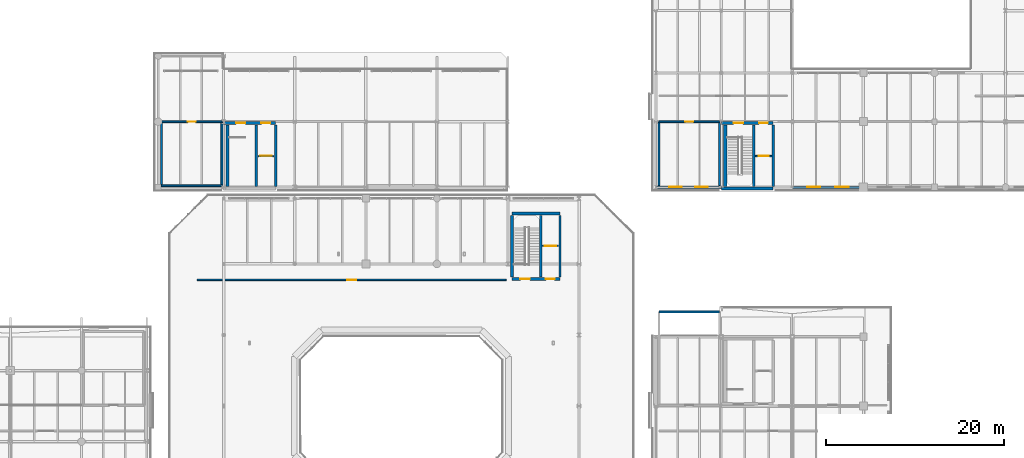
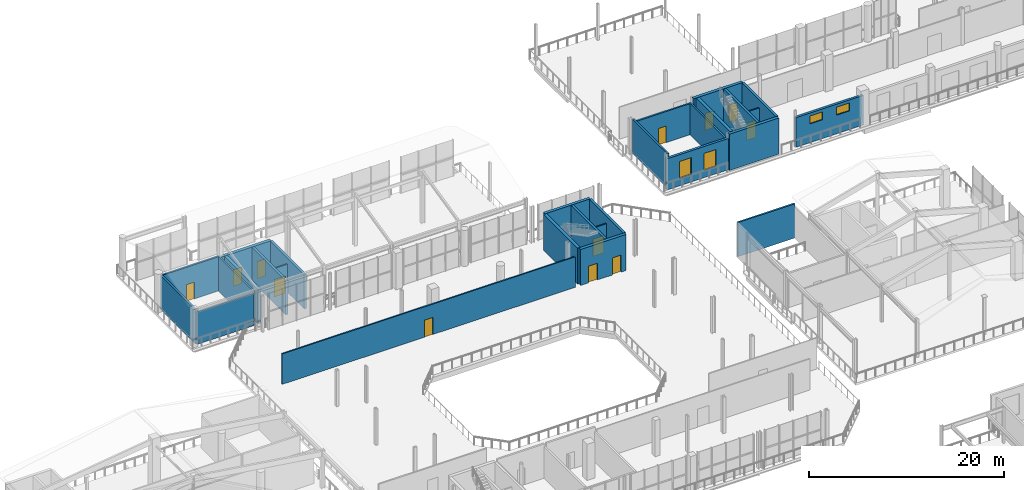
# One storey, part 52 of 70: 28 walls, 12 doors, 4 windows, 16 openings.
"""IFC4 building model written with IfcOpenShell, lengths in metres."""

from ifc_helpers import new_model, si_unit, direction, frame, frame_2d, origin, place, context, subcontext, project, spatial, rectangle, extrude, material, layer, layer_set, type_object, element, fill, save


model = new_model("IFC4")

# Units and contexts
model_context = context("Model", 3, precision=1e-05, world=origin(), true_north=direction((0.0, 1.0)))
body_context = subcontext(model_context, "Body", "Model", "MODEL_VIEW")
ifc_project = project(units=[si_unit("LENGTHUNIT", "METRE"), si_unit("AREAUNIT", "SQUARE_METRE"), si_unit("VOLUMEUNIT", "CUBIC_METRE"), si_unit("PLANEANGLEUNIT", "RADIAN"), si_unit("MASSUNIT", "GRAM", prefix="KILO")], contexts=[model_context])

# Site, building, storey
site_placement = place(None, origin())
site = spatial("IfcSite", under=ifc_project, at=site_placement, CompositionType="ELEMENT")
building_placement = place(site_placement, origin())
building = spatial("IfcBuilding", under=site, at=building_placement, Name="Brisemont Oceanarium", CompositionType="ELEMENT")
storey_placement = place(building_placement, frame((0.0, 0.0, 10.199951171875)))
storey = spatial("IfcBuildingStorey", under=building, at=storey_placement, Name="L02", CompositionType="ELEMENT", Elevation=10.199951171875)

# Wall, openings, windows
ifc_material_1 = material(Name="Beaux-Arts Limestone Cladding Precast Concrete C40/50", Category="masonry")
ifc_layer_1 = layer(ifc_material_1, 0.280029296875)
ifc_layer_set_1 = layer_set([ifc_layer_1], Name="Beaux-Arts Limestone Cladding Precast Concrete C40/50")
wall_type_1 = type_object("IfcWallType", Name="EW-LIME-280", PredefinedType="STANDARD", material=ifc_layer_set_1)
wall_1_placement = place(storey_placement, frame((112.64990234375, 80.64990234375, 0.0), z_axis=(0.0, 0.0, 1.0), x_axis=(1.0, 0.0, 0.0)))
wall_1 = element("IfcWall", 1, at=wall_1_placement, inside=storey, type_object=wall_type_1, Name="Beaux-Arts exterior wall EW-V6S-L02-1", PredefinedType="STANDARD", context=body_context, shape_type="SweptSolid", body=[
    extrude(rectangle(XDim=7.35009765625, YDim=0.280029296875, at=frame_2d((3.675048828125, 0.0))), origin(), (0.0, 0.0, 1.0), 3.91796875),
])
opening_1_placement = place(wall_1_placement, frame((1.5166015625, 0.0, 0.949951171875)))
opening_1 = element("IfcOpeningElement", 2, at=opening_1_placement, cuts=wall_1, Name="Opening WIN-07", PredefinedType="OPENING", context=body_context, shape_type="SweptSolid", body=[
    extrude(rectangle(XDim=1.39990234375, YDim=2.10009765625, at=frame_2d((0.699951171875, 1.050048828125))), frame((0.0, 0.14990234375, 0.0), z_axis=(0.0, -1.0, 0.0), x_axis=(1.0, 0.0, 0.0)), (0.0, 0.0, 1.0), 0.300048828125),
])
opening_2_placement = place(wall_1_placement, frame((4.433349609375, 0.0, 0.949951171875)))
opening_2 = element("IfcOpeningElement", 3, at=opening_2_placement, cuts=wall_1, Name="Opening WIN-07", PredefinedType="OPENING", context=body_context, shape_type="SweptSolid", body=[
    extrude(rectangle(XDim=1.39990234375, YDim=2.10009765625, at=frame_2d((0.699951171875, 1.050048828125))), frame((0.0, 0.14990234375, 0.0), z_axis=(0.0, -1.0, 0.0), x_axis=(1.0, 0.0, 0.0)), (0.0, 0.0, 1.0), 0.300048828125),
])
ifc_material_2 = material(Name="Insulated Low-E Laminated Glass", Category="glass")
window_type_1 = type_object("IfcWindowType", Name="WIN-BA-1400X2100", PartitioningType="SINGLE_PANEL", PredefinedType="WINDOW", material=ifc_material_2)
window_1_placement = place(opening_1_placement, origin())
window_1 = element("IfcWindow", 4, at=window_1_placement, inside=storey, type_object=window_type_1, Name="WIN-07 facade window 61", OverallHeight=2.10009765625, OverallWidth=1.39990234375, PartitioningType="SINGLE_PANEL", PredefinedType="WINDOW", context=body_context, shape_type="SweptSolid", body=[
    extrude(rectangle(XDim=1.39990234375, YDim=2.10009765625, at=frame_2d((0.699951171875, 1.050048828125))), frame((0.0, 0.030029296875, 0.0), z_axis=(0.0, -1.0, 0.0), x_axis=(1.0, 0.0, 0.0)), (0.0, 0.0, 1.0), 0.06005859375),
])
fill(opening_1, window_1)
window_2_placement = place(opening_2_placement, origin())
window_2 = element("IfcWindow", 5, at=window_2_placement, inside=storey, type_object=window_type_1, Name="WIN-07 facade window 62", OverallHeight=2.10009765625, OverallWidth=1.39990234375, PartitioningType="SINGLE_PANEL", PredefinedType="WINDOW", context=body_context, shape_type="SweptSolid", body=[
    extrude(rectangle(XDim=1.39990234375, YDim=2.10009765625, at=frame_2d((0.699951171875, 1.050048828125))), frame((0.0, 0.030029296875, 0.0), z_axis=(0.0, -1.0, 0.0), x_axis=(1.0, 0.0, 0.0)), (0.0, 0.0, 1.0), 0.06005859375),
])
fill(opening_2, window_2)

wall_2_placement = place(storey_placement, frame((128.0, 80.64990234375, 0.0), z_axis=(0.0, 0.0, 1.0), x_axis=(1.0, 0.0, 0.0)))
wall_2 = element("IfcWall", 6, at=wall_2_placement, inside=storey, type_object=wall_type_1, Name="Beaux-Arts exterior wall EW-V6S-L02-3", PredefinedType="STANDARD", context=body_context, shape_type="SweptSolid", body=[
    extrude(rectangle(XDim=8.0, YDim=0.280029296875, at=frame_2d((4.0, 0.0))), origin(), (0.0, 0.0, 1.0), 3.719970703125),
])
opening_3_placement = place(wall_2_placement, frame((1.666748046875, 0.0, 2.35009765625)))
opening_3 = element("IfcOpeningElement", 7, at=opening_3_placement, cuts=wall_2, Name="Opening WIN-15", PredefinedType="OPENING", context=body_context, shape_type="SweptSolid", body=[
    extrude(rectangle(XDim=1.5, YDim=1.0, at=frame_2d((0.75, 0.5))), frame((0.0, 0.14990234375, 0.0), z_axis=(0.0, -1.0, 0.0), x_axis=(1.0, 0.0, 0.0)), (0.0, 0.0, 1.0), 0.300048828125),
])
opening_4_placement = place(wall_2_placement, frame((4.833251953125, 0.0, 2.35009765625)))
opening_4 = element("IfcOpeningElement", 8, at=opening_4_placement, cuts=wall_2, Name="Opening WIN-15", PredefinedType="OPENING", context=body_context, shape_type="SweptSolid", body=[
    extrude(rectangle(XDim=1.5, YDim=1.0, at=frame_2d((0.75, 0.5))), frame((0.0, 0.14990234375, 0.0), z_axis=(0.0, -1.0, 0.0), x_axis=(1.0, 0.0, 0.0)), (0.0, 0.0, 1.0), 0.300048828125),
])
ifc_material_3 = material(Name="Insulated Low-E Laminated Glass", Category="glass")
window_type_2 = type_object("IfcWindowType", Name="WIN-CLR-1500X1000", PartitioningType="SINGLE_PANEL", PredefinedType="WINDOW", material=ifc_material_3)
window_3_placement = place(opening_3_placement, origin())
window_3 = element("IfcWindow", 9, at=window_3_placement, inside=storey, type_object=window_type_2, Name="WIN-15 facade window 69", OverallHeight=1.0, OverallWidth=1.5, PartitioningType="SINGLE_PANEL", PredefinedType="WINDOW", context=body_context, shape_type="SweptSolid", body=[
    extrude(rectangle(XDim=1.5, YDim=1.0, at=frame_2d((0.75, 0.5))), frame((0.0, 0.030029296875, 0.0), z_axis=(0.0, -1.0, 0.0), x_axis=(1.0, 0.0, 0.0)), (0.0, 0.0, 1.0), 0.06005859375),
])
fill(opening_3, window_3)
window_4_placement = place(opening_4_placement, origin())
window_4 = element("IfcWindow", 10, at=window_4_placement, inside=storey, type_object=window_type_2, Name="WIN-15 facade window 70", OverallHeight=1.0, OverallWidth=1.5, PartitioningType="SINGLE_PANEL", PredefinedType="WINDOW", context=body_context, shape_type="SweptSolid", body=[
    extrude(rectangle(XDim=1.5, YDim=1.0, at=frame_2d((0.75, 0.5))), frame((0.0, 0.030029296875, 0.0), z_axis=(0.0, -1.0, 0.0), x_axis=(1.0, 0.0, 0.0)), (0.0, 0.0, 1.0), 0.06005859375),
])
fill(opening_4, window_4)

# Wall, opening, door
ifc_material_4 = material(Name="Moisture-Resistant Gypsum Steel-Stud Partition", Category="steel")
ifc_layer_2 = layer(ifc_material_4, 0.159912109375)
ifc_layer_set_2 = layer_set([ifc_layer_2], Name="Moisture-Resistant Gypsum Steel-Stud Partition")
wall_type_2 = type_object("IfcWallType", Name="IW-FB-160", PredefinedType="PARTITIONING", material=ifc_layer_set_2)
wall_3_placement = place(storey_placement, frame((99.85009765625, 74.02001953125, 0.0), z_axis=(0.0, 0.0, 1.0), x_axis=(1.0, 0.0, 0.0)))
wall_3 = element("IfcWall", 11, at=wall_3_placement, inside=storey, type_object=wall_type_2, Name="Core C2 L02 lift hoistway front wall", PredefinedType="PARTITIONING", context=body_context, shape_type="SweptSolid", body=[
    extrude(rectangle(XDim=1.83984375, YDim=0.159912109375, at=frame_2d((0.919921875, 0.0))), origin(), (0.0, 0.0, 1.0), 3.60009765625),
])
opening_5_placement = place(wall_3_placement, frame((0.27001953125, 0.0, 0.0)))
opening_5 = element("IfcOpeningElement", 12, at=opening_5_placement, cuts=wall_3, Name="Opening LD-02", PredefinedType="OPENING", context=body_context, shape_type="SweptSolid", body=[
    extrude(rectangle(XDim=1.300048828125, YDim=2.199951171875, at=frame_2d((0.64990234375, 1.10009765625))), frame((0.0, 0.08984375, 0.0), z_axis=(0.0, -1.0, 0.0), x_axis=(1.0, 0.0, 0.0)), (0.0, 0.0, 1.0), 0.179931640625),
])
ifc_material_5 = material(Name="Duplex Stainless Steel EN 1.4462", Category="steel")
door_type_1 = type_object("IfcDoorType", Name="DR-LIFT-1300X2200", OperationType="NOTDEFINED", PredefinedType="DOOR", material=ifc_material_5)
door_1_placement = place(opening_5_placement, origin())
door_1 = element("IfcDoor", 13, at=door_1_placement, inside=storey, type_object=door_type_1, Name="Lift landing door LF-02 L02", OperationType="SLIDING_TO_LEFT", OverallHeight=2.199951171875, OverallWidth=1.300048828125, PredefinedType="DOOR", context=body_context, shape_type="SweptSolid", body=[
    extrude(rectangle(XDim=1.300048828125, YDim=2.199951171875, at=frame_2d((0.64990234375, 1.10009765625))), frame((0.0, 0.02490234375, 0.0), z_axis=(0.0, -1.0, 0.0), x_axis=(1.0, 0.0, 0.0)), (0.0, 0.0, 1.0), 0.050048828125),
])
fill(opening_5, door_1)

wall_4_placement = place(storey_placement, frame((123.85009765625, 84.1298828125, 0.0), z_axis=(0.0, 0.0, 1.0), x_axis=(1.0, 0.0, 0.0)))
wall_4 = element("IfcWall", 14, at=wall_4_placement, inside=storey, type_object=wall_type_2, Name="Core C7 L02 lift hoistway front wall", PredefinedType="PARTITIONING", context=body_context, shape_type="SweptSolid", body=[
    extrude(rectangle(XDim=1.83984375, YDim=0.159912109375, at=frame_2d((0.919921875, 0.0))), origin(), (0.0, 0.0, 1.0), 3.60009765625),
])
opening_6_placement = place(wall_4_placement, frame((0.3701171875, 0.0, 0.0)))
opening_6 = element("IfcOpeningElement", 15, at=opening_6_placement, cuts=wall_4, Name="Opening LD-01", PredefinedType="OPENING", context=body_context, shape_type="SweptSolid", body=[
    extrude(rectangle(XDim=1.10009765625, YDim=2.14990234375, at=frame_2d((0.550048828125, 1.074951171875))), frame((0.0, 0.08984375, 0.0), z_axis=(0.0, -1.0, 0.0), x_axis=(1.0, 0.0, 0.0)), (0.0, 0.0, 1.0), 0.179931640625),
])
ifc_material_6 = material(Name="Duplex Stainless Steel EN 1.4462", Category="steel")
door_type_2 = type_object("IfcDoorType", Name="DR-LIFT-1100X2150", OperationType="NOTDEFINED", PredefinedType="DOOR", material=ifc_material_6)
door_2_placement = place(opening_6_placement, origin())
door_2 = element("IfcDoor", 16, at=door_2_placement, inside=storey, type_object=door_type_2, Name="Lift landing door LF-07 L02", OperationType="SLIDING_TO_LEFT", OverallHeight=2.14990234375, OverallWidth=1.10009765625, PredefinedType="DOOR", context=body_context, shape_type="SweptSolid", body=[
    extrude(rectangle(XDim=1.10009765625, YDim=2.14990234375, at=frame_2d((0.550048828125, 1.074951171875))), frame((0.0, 0.02490234375, 0.0), z_axis=(0.0, -1.0, 0.0), x_axis=(1.0, 0.0, 0.0)), (0.0, 0.0, 1.0), 0.050048828125),
])
fill(opening_6, door_2)

wall_5_placement = place(storey_placement, frame((67.85009765625, 84.1298828125, 0.0), z_axis=(0.0, 0.0, 1.0), x_axis=(1.0, 0.0, 0.0)))
wall_5 = element("IfcWall", 17, at=wall_5_placement, inside=storey, type_object=wall_type_2, Name="Core C8 L02 lift hoistway front wall", PredefinedType="PARTITIONING", context=body_context, shape_type="SweptSolid", body=[
    extrude(rectangle(XDim=1.83984375, YDim=0.159912109375, at=frame_2d((0.919921875, 0.0))), origin(), (0.0, 0.0, 1.0), 3.60009765625),
])
opening_7_placement = place(wall_5_placement, frame((0.27001953125, 0.0, 0.0)))
opening_7 = element("IfcOpeningElement", 18, at=opening_7_placement, cuts=wall_5, Name="Opening LD-02", PredefinedType="OPENING", context=body_context, shape_type="SweptSolid", body=[
    extrude(rectangle(XDim=1.300048828125, YDim=2.199951171875, at=frame_2d((0.64990234375, 1.10009765625))), frame((0.0, 0.08984375, 0.0), z_axis=(0.0, -1.0, 0.0), x_axis=(1.0, 0.0, 0.0)), (0.0, 0.0, 1.0), 0.179931640625),
])
door_3_placement = place(opening_7_placement, origin())
door_3 = element("IfcDoor", 19, at=door_3_placement, inside=storey, type_object=door_type_1, Name="Lift landing door L-08 L02", OperationType="SLIDING_TO_LEFT", OverallHeight=2.199951171875, OverallWidth=1.300048828125, PredefinedType="DOOR", context=body_context, shape_type="SweptSolid", body=[
    extrude(rectangle(XDim=1.300048828125, YDim=2.199951171875, at=frame_2d((0.64990234375, 1.10009765625))), frame((0.0, 0.02490234375, 0.0), z_axis=(0.0, -1.0, 0.0), x_axis=(1.0, 0.0, 0.0)), (0.0, 0.0, 1.0), 0.050048828125),
])
fill(opening_7, door_3)

wall_6_placement = place(storey_placement, frame((61.0, 70.199951171875, 0.0), z_axis=(0.0, 0.0, 1.0), x_axis=(1.0, 0.0, 0.0)))
wall_6 = element("IfcWall", 20, at=wall_6_placement, inside=storey, type_object=wall_type_2, Name="Ocean Tank Husbandry Veterinary Monitoring Station corridor partition", PredefinedType="PARTITIONING", context=body_context, shape_type="SweptSolid", body=[
    extrude(rectangle(XDim=34.800048828125, YDim=0.159912109375, at=frame_2d((17.39990234375, 0.0))), origin(), (0.0, 0.0, 1.0), 3.822021484375),
])
opening_8_placement = place(wall_6_placement, frame((16.889892578125, 0.0, 0.0)))
opening_8 = element("IfcOpeningElement", 21, at=opening_8_placement, cuts=wall_6, Name="Opening D-01", PredefinedType="OPENING", context=body_context, shape_type="SweptSolid", body=[
    extrude(rectangle(XDim=1.02001953125, YDim=2.14990234375, at=frame_2d((0.510009765625, 1.074951171875))), frame((0.0, 0.08984375, 0.0), z_axis=(0.0, -1.0, 0.0), x_axis=(1.0, 0.0, 0.0)), (0.0, 0.0, 1.0), 0.179931640625),
])
ifc_material_7 = material(Name="FSC White Oak Solid-Core Fire Door")
door_type_3 = type_object("IfcDoorType", Name="DR-RM-1020X2150", OperationType="NOTDEFINED", PredefinedType="DOOR", material=ifc_material_7)
door_4_placement = place(opening_8_placement, origin())
door_4 = element("IfcDoor", 22, at=door_4_placement, inside=storey, type_object=door_type_3, Name="D-01 door to Ocean Tank Husbandry Veterinary Monitoring Station", OperationType="SINGLE_SWING_LEFT", OverallHeight=2.14990234375, OverallWidth=1.02001953125, PredefinedType="DOOR", context=body_context, shape_type="SweptSolid", body=[
    extrude(rectangle(XDim=1.02001953125, YDim=2.14990234375, at=frame_2d((0.510009765625, 1.074951171875))), frame((0.0, 0.02490234375, 0.0), z_axis=(0.0, -1.0, 0.0), x_axis=(1.0, 0.0, 0.0)), (0.0, 0.0, 1.0), 0.050048828125),
])
fill(opening_8, door_4)

# Wall
ifc_material_8 = material(Name="Cementitious Tile-Backer Plumbing Wall")
ifc_layer_3 = layer(ifc_material_8, 0.199951171875)
ifc_layer_set_3 = layer_set([ifc_layer_3], Name="Cementitious Tile-Backer Plumbing Wall")
wall_type_3 = type_object("IfcWallType", Name="IW-PLUMB-200", PredefinedType="PLUMBINGWALL", material=ifc_layer_set_3)
wall_7_placement = place(storey_placement, frame((113.0, 66.60009765625, 0.0), z_axis=(0.0, 0.0, 1.0), x_axis=(1.0, 0.0, 0.0)))
element("IfcWall", 23, at=wall_7_placement, inside=storey, type_object=wall_type_3, Name="Accessible WC enclosure wall N", PredefinedType="PLUMBINGWALL", context=body_context, shape_type="SweptSolid", body=[
    extrude(rectangle(XDim=6.800048828125, YDim=0.199951171875, at=frame_2d((3.39990234375, 0.0))), origin(), (0.0, 0.0, 1.0), 4.2900390625),
])

# Wall, opening, door
wall_8_placement = place(storey_placement, frame((57.0, 88.0, 0.0), z_axis=(0.0, 0.0, 1.0), x_axis=(1.0, 0.0, 0.0)))
wall_8 = element("IfcWall", 24, at=wall_8_placement, inside=storey, type_object=wall_type_3, Name="Staff Restroom corridor partition", PredefinedType="PLUMBINGWALL", context=body_context, shape_type="SweptSolid", body=[
    extrude(rectangle(XDim=6.800048828125, YDim=0.199951171875, at=frame_2d((3.39990234375, 0.0))), origin(), (0.0, 0.0, 1.0), 4.2900390625),
])
opening_9_placement = place(wall_8_placement, frame((2.945068359375, 0.0, 0.0)))
opening_9 = element("IfcOpeningElement", 25, at=opening_9_placement, cuts=wall_8, Name="Opening D-03", PredefinedType="OPENING", context=body_context, shape_type="SweptSolid", body=[
    extrude(rectangle(XDim=0.909912109375, YDim=2.10009765625, at=frame_2d((0.455078125, 1.050048828125))), frame((0.0, 0.10986328125, 0.0), z_axis=(0.0, -1.0, 0.0), x_axis=(1.0, 0.0, 0.0)), (0.0, 0.0, 1.0), 0.219970703125),
])
ifc_material_9 = material(Name="FSC White Oak Solid-Core Fire Door")
door_type_4 = type_object("IfcDoorType", Name="DR-WC-910X2100", OperationType="NOTDEFINED", PredefinedType="DOOR", material=ifc_material_9)
door_5_placement = place(opening_9_placement, origin())
door_5 = element("IfcDoor", 26, at=door_5_placement, inside=storey, type_object=door_type_4, Name="D-03 door to Staff Restroom", OperationType="SINGLE_SWING_RIGHT", OverallHeight=2.10009765625, OverallWidth=0.909912109375, PredefinedType="DOOR", context=body_context, shape_type="SweptSolid", body=[
    extrude(rectangle(XDim=0.909912109375, YDim=2.10009765625, at=frame_2d((0.455078125, 1.050048828125))), frame((0.0, 0.02490234375, 0.0), z_axis=(0.0, -1.0, 0.0), x_axis=(1.0, 0.0, 0.0)), (0.0, 0.0, 1.0), 0.050048828125),
])
fill(opening_9, door_5)

# Walls
wall_9_placement = place(storey_placement, frame((57.0, 80.800048828125, 0.0), z_axis=(0.0, 0.0, 1.0), x_axis=(1.0, 0.0, 0.0)))
element("IfcWall", 27, at=wall_9_placement, inside=storey, type_object=wall_type_3, Name="Staff Restroom enclosure wall S", PredefinedType="PLUMBINGWALL", context=body_context, shape_type="SweptSolid", body=[
    extrude(rectangle(XDim=6.800048828125, YDim=0.199951171875, at=frame_2d((3.39990234375, 0.0))), origin(), (0.0, 0.0, 1.0), 4.047119140625),
])
for number, where, z_axis, x_axis, name in (
    (28, (57.0, 80.800048828125, 0.0), (0.0, 0.0, 1.0), (0.0, 1.0, 0.0), "Staff Restroom enclosure wall W"),
    (29, (63.800048828125, 80.800048828125, 0.0), (0.0, 0.0, 1.0), (0.0, 1.0, 0.0), "Staff Restroom enclosure wall E"),
):
    element("IfcWall", number, at=place(storey_placement, frame(where, z_axis=z_axis, x_axis=x_axis)), inside=storey, type_object=wall_type_3, Name=name, PredefinedType="PLUMBINGWALL", context=body_context, shape_type="SweptSolid", body=[
        extrude(rectangle(XDim=7.199951171875, YDim=0.199951171875, at=frame_2d((3.60009765625, 0.0))), origin(), (0.0, 0.0, 1.0), 4.2900390625),
    ])

# Wall, opening, door
wall_10_placement = place(storey_placement, frame((113.0, 88.0, 0.0), z_axis=(0.0, 0.0, 1.0), x_axis=(1.0, 0.0, 0.0)))
wall_10 = element("IfcWall", 30, at=wall_10_placement, inside=storey, type_object=wall_type_3, Name="Accessible WC corridor partition", PredefinedType="PLUMBINGWALL", context=body_context, shape_type="SweptSolid", body=[
    extrude(rectangle(XDim=6.800048828125, YDim=0.199951171875, at=frame_2d((3.39990234375, 0.0))), origin(), (0.0, 0.0, 1.0), 3.907958984375),
])
opening_10_placement = place(wall_10_placement, frame((2.945068359375, 0.0, 0.0)))
opening_10 = element("IfcOpeningElement", 31, at=opening_10_placement, cuts=wall_10, Name="Opening D-03", PredefinedType="OPENING", context=body_context, shape_type="SweptSolid", body=[
    extrude(rectangle(XDim=0.909912109375, YDim=2.10009765625, at=frame_2d((0.455078125, 1.050048828125))), frame((0.0, 0.10986328125, 0.0), z_axis=(0.0, -1.0, 0.0), x_axis=(1.0, 0.0, 0.0)), (0.0, 0.0, 1.0), 0.219970703125),
])
door_6_placement = place(opening_10_placement, origin())
door_6 = element("IfcDoor", 32, at=door_6_placement, inside=storey, type_object=door_type_4, Name="D-03 door to Accessible WC", OperationType="SINGLE_SWING_LEFT", OverallHeight=2.10009765625, OverallWidth=0.909912109375, PredefinedType="DOOR", context=body_context, shape_type="SweptSolid", body=[
    extrude(rectangle(XDim=0.909912109375, YDim=2.10009765625, at=frame_2d((0.455078125, 1.050048828125))), frame((0.0, 0.02490234375, 0.0), z_axis=(0.0, -1.0, 0.0), x_axis=(1.0, 0.0, 0.0)), (0.0, 0.0, 1.0), 0.050048828125),
])
fill(opening_10, door_6)

# Walls
wall_11_placement = place(storey_placement, frame((113.0, 80.800048828125, 0.0), z_axis=(0.0, 0.0, 1.0), x_axis=(0.0, 1.0, 0.0)))
element("IfcWall", 33, at=wall_11_placement, inside=storey, type_object=wall_type_3, Name="Accessible WC enclosure wall W", PredefinedType="PLUMBINGWALL", context=body_context, shape_type="SweptSolid", body=[
    extrude(rectangle(XDim=7.199951171875, YDim=0.199951171875, at=frame_2d((3.60009765625, 0.0))), origin(), (0.0, 0.0, 1.0), 4.2900390625),
])
wall_12_placement = place(storey_placement, frame((119.800048828125, 80.800048828125, 0.0), z_axis=(0.0, 0.0, 1.0), x_axis=(0.0, 1.0, 0.0)))
element("IfcWall", 34, at=wall_12_placement, inside=storey, type_object=wall_type_3, Name="Accessible WC enclosure wall E", PredefinedType="PLUMBINGWALL", context=body_context, shape_type="SweptSolid", body=[
    extrude(rectangle(XDim=7.199951171875, YDim=0.199951171875, at=frame_2d((3.60009765625, 0.0))), origin(), (0.0, 0.0, 1.0), 3.91796875),
])
ifc_material_10 = material(Name="Concrete C40/50", Category="concrete")
ifc_layer_4 = layer(ifc_material_10, 0.260009765625)
ifc_layer_set_4 = layer_set([ifc_layer_4], Name="Concrete C40/50")
wall_type_4 = type_object("IfcWallType", Name="SW-SHAFT-260", PredefinedType="SHEAR", material=ifc_layer_set_4)
for number, where, z_axis, x_axis, name in (
    (35, (101.85009765625, 70.5, 0.0), (0.0, 0.0, 1.0), (0.0, 1.0, 0.0), "Core C2 L02 E RC shear wall"),
    (36, (99.669921875, 70.5, 0.0), (0.0, 0.0, 1.0), (0.0, 1.0, 0.0), "Core C2 L02 MID RC shear wall"),
):
    element("IfcWall", number, at=place(storey_placement, frame(where, z_axis=z_axis, x_axis=x_axis)), inside=storey, type_object=wall_type_4, Name=name, PredefinedType="SHEAR", context=body_context, shape_type="SweptSolid", body=[
        extrude(rectangle(XDim=6.949951171875, YDim=0.260009765625, at=frame_2d((3.47509765625, 0.0))), origin(), (0.0, 0.0, 1.0), 4.530029296875),
    ])
for number, where, z_axis, x_axis, name in (
    (37, (125.85009765625, 80.699951171875, 0.0), (0.0, 0.0, 1.0), (0.0, 1.0, 0.0), "Core C7 L02 E RC shear wall"),
    (38, (123.669921875, 80.699951171875, 0.0), (0.0, 0.0, 1.0), (0.0, 1.0, 0.0), "Core C7 L02 MID RC shear wall"),
):
    element("IfcWall", number, at=place(storey_placement, frame(where, z_axis=z_axis, x_axis=x_axis)), inside=storey, type_object=wall_type_4, Name=name, PredefinedType="SHEAR", context=body_context, shape_type="SweptSolid", body=[
        extrude(rectangle(XDim=6.949951171875, YDim=0.260009765625, at=frame_2d((3.47509765625, 0.0))), origin(), (0.0, 0.0, 1.0), 4.550048828125),
    ])
for number, where, z_axis, x_axis, name in (
    (39, (69.85009765625, 80.699951171875, 0.0), (0.0, 0.0, 1.0), (0.0, 1.0, 0.0), "Core C8 L02 E RC shear wall"),
    (40, (67.669921875, 80.699951171875, 0.0), (0.0, 0.0, 1.0), (0.0, 1.0, 0.0), "Core C8 L02 MID RC shear wall"),
):
    element("IfcWall", number, at=place(storey_placement, frame(where, z_axis=z_axis, x_axis=x_axis)), inside=storey, type_object=wall_type_4, Name=name, PredefinedType="SHEAR", context=body_context, shape_type="SweptSolid", body=[
        extrude(rectangle(XDim=6.949951171875, YDim=0.260009765625, at=frame_2d((3.47509765625, 0.0))), origin(), (0.0, 0.0, 1.0), 4.300048828125),
    ])

# Wall, openings, doors
ifc_material_11 = material(Name="Concrete C40/50", Category="concrete")
ifc_layer_5 = layer(ifc_material_11, 0.35009765625)
ifc_layer_set_5 = layer_set([ifc_layer_5], Name="Concrete C40/50")
wall_type_5 = type_object("IfcWallType", Name="SW-STAIR-350", PredefinedType="SHEAR", material=ifc_layer_set_5)
wall_13_placement = place(storey_placement, frame((96.449951171875, 70.300048828125, 0.0), z_axis=(0.0, 0.0, 1.0), x_axis=(1.0, 0.0, 0.0)))
wall_13 = element("IfcWall", 41, at=wall_13_placement, inside=storey, type_object=wall_type_5, Name="Core C2 L02 corridor RC shear wall", PredefinedType="SHEAR", context=body_context, shape_type="SweptSolid", body=[
    extrude(rectangle(XDim=5.400146484375, YDim=0.35009765625, at=frame_2d((2.7001953125, 0.0))), origin(), (0.0, 0.0, 1.0), 4.530029296875),
])
opening_11_placement = place(wall_13_placement, frame((0.949951171875, 0.0, 0.0)))
opening_11 = element("IfcOpeningElement", 42, at=opening_11_placement, cuts=wall_13, Name="Opening SD-02", PredefinedType="OPENING", context=body_context, shape_type="SweptSolid", body=[
    extrude(rectangle(XDim=1.050048828125, YDim=2.10009765625, at=frame_2d((0.52490234375, 1.050048828125))), frame((0.0, 0.18505859375, 0.0), z_axis=(0.0, -1.0, 0.0), x_axis=(1.0, 0.0, 0.0)), (0.0, 0.0, 1.0), 0.3701171875),
])
opening_12_placement = place(wall_13_placement, frame((3.800048828125, 0.0, 0.0)))
opening_12 = element("IfcOpeningElement", 43, at=opening_12_placement, cuts=wall_13, Name="Opening FD90-2", PredefinedType="OPENING", context=body_context, shape_type="SweptSolid", body=[
    extrude(rectangle(XDim=1.0, YDim=2.14990234375, at=frame_2d((0.5, 1.074951171875))), frame((0.0, 0.18505859375, 0.0), z_axis=(0.0, -1.0, 0.0), x_axis=(1.0, 0.0, 0.0)), (0.0, 0.0, 1.0), 0.3701171875),
])
ifc_material_12 = material(Name="FSC White Oak Solid-Core Fire Door")
door_type_5 = type_object("IfcDoorType", Name="DR-LOB-1000X2150", OperationType="NOTDEFINED", PredefinedType="DOOR", material=ifc_material_12)
door_7_placement = place(opening_12_placement, origin())
door_7 = element("IfcDoor", 44, at=door_7_placement, inside=storey, type_object=door_type_5, Name="Lift lobby door C2 L02", OperationType="SINGLE_SWING_LEFT", OverallHeight=2.14990234375, OverallWidth=1.0, PredefinedType="DOOR", context=body_context, shape_type="SweptSolid", body=[
    extrude(rectangle(XDim=1.0, YDim=2.14990234375, at=frame_2d((0.5, 1.074951171875))), frame((0.0, 0.02490234375, 0.0), z_axis=(0.0, -1.0, 0.0), x_axis=(1.0, 0.0, 0.0)), (0.0, 0.0, 1.0), 0.050048828125),
])
fill(opening_12, door_7)
ifc_material_13 = material(Name="Duplex Stainless Steel EN 1.4462", Category="steel")
door_type_6 = type_object("IfcDoorType", Name="DR-STAIR-1050X2100", OperationType="NOTDEFINED", PredefinedType="DOOR", material=ifc_material_13)
door_8_placement = place(opening_11_placement, origin())
door_8 = element("IfcDoor", 45, at=door_8_placement, inside=storey, type_object=door_type_6, Name="Exit stair door ST-02 L02", OperationType="SINGLE_SWING_RIGHT", OverallHeight=2.10009765625, OverallWidth=1.050048828125, PredefinedType="DOOR", context=body_context, shape_type="SweptSolid", body=[
    extrude(rectangle(XDim=1.050048828125, YDim=2.10009765625, at=frame_2d((0.52490234375, 1.050048828125))), frame((0.0, 0.02490234375, 0.0), z_axis=(0.0, -1.0, 0.0), x_axis=(1.0, 0.0, 0.0)), (0.0, 0.0, 1.0), 0.050048828125),
])
fill(opening_11, door_8)

# Walls
wall_14_placement = place(storey_placement, frame((96.449951171875, 77.64990234375, 0.0), z_axis=(0.0, 0.0, 1.0), x_axis=(1.0, 0.0, 0.0)))
element("IfcWall", 46, at=wall_14_placement, inside=storey, type_object=wall_type_5, Name="Core C2 L02 BCK RC shear wall", PredefinedType="SHEAR", context=body_context, shape_type="SweptSolid", body=[
    extrude(rectangle(XDim=5.400146484375, YDim=0.35009765625, at=frame_2d((2.7001953125, 0.0))), origin(), (0.0, 0.0, 1.0), 4.530029296875),
])
wall_15_placement = place(storey_placement, frame((96.449951171875, 70.5, 0.0), z_axis=(0.0, 0.0, 1.0), x_axis=(0.0, 1.0, 0.0)))
element("IfcWall", 47, at=wall_15_placement, inside=storey, type_object=wall_type_5, Name="Core C2 L02 W RC shear wall", PredefinedType="SHEAR", context=body_context, shape_type="SweptSolid", body=[
    extrude(rectangle(XDim=6.949951171875, YDim=0.35009765625, at=frame_2d((3.47509765625, 0.0))), origin(), (0.0, 0.0, 1.0), 4.530029296875),
])

# Wall, openings, doors
wall_16_placement = place(storey_placement, frame((120.0, 87.85009765625, 0.0), z_axis=(0.0, 0.0, 1.0), x_axis=(1.0, 0.0, 0.0)))
wall_16 = element("IfcWall", 48, at=wall_16_placement, inside=storey, type_object=wall_type_5, Name="Core C7 L02 corridor RC shear wall", PredefinedType="SHEAR", context=body_context, shape_type="SweptSolid", body=[
    extrude(rectangle(XDim=5.85009765625, YDim=0.35009765625, at=frame_2d((2.925048828125, 0.0))), origin(), (0.0, 0.0, 1.0), 4.550048828125),
])
opening_13_placement = place(wall_16_placement, frame((1.39990234375, 0.0, 0.0)))
opening_13 = element("IfcOpeningElement", 49, at=opening_13_placement, cuts=wall_16, Name="Opening SD-02", PredefinedType="OPENING", context=body_context, shape_type="SweptSolid", body=[
    extrude(rectangle(XDim=1.050048828125, YDim=2.10009765625, at=frame_2d((0.52490234375, 1.050048828125))), frame((0.0, 0.18505859375, 0.0), z_axis=(0.0, -1.0, 0.0), x_axis=(1.0, 0.0, 0.0)), (0.0, 0.0, 1.0), 0.3701171875),
])
opening_14_placement = place(wall_16_placement, frame((4.25, 0.0, 0.0)))
opening_14 = element("IfcOpeningElement", 50, at=opening_14_placement, cuts=wall_16, Name="Opening FD90-2", PredefinedType="OPENING", context=body_context, shape_type="SweptSolid", body=[
    extrude(rectangle(XDim=1.0, YDim=2.14990234375, at=frame_2d((0.5, 1.074951171875))), frame((0.0, 0.18505859375, 0.0), z_axis=(0.0, -1.0, 0.0), x_axis=(1.0, 0.0, 0.0)), (0.0, 0.0, 1.0), 0.3701171875),
])
door_9_placement = place(opening_14_placement, origin())
door_9 = element("IfcDoor", 51, at=door_9_placement, inside=storey, type_object=door_type_5, Name="Lift lobby door C7 L02", OperationType="SINGLE_SWING_RIGHT", OverallHeight=2.14990234375, OverallWidth=1.0, PredefinedType="DOOR", context=body_context, shape_type="SweptSolid", body=[
    extrude(rectangle(XDim=1.0, YDim=2.14990234375, at=frame_2d((0.5, 1.074951171875))), frame((0.0, 0.02490234375, 0.0), z_axis=(0.0, -1.0, 0.0), x_axis=(1.0, 0.0, 0.0)), (0.0, 0.0, 1.0), 0.050048828125),
])
fill(opening_14, door_9)
door_10_placement = place(opening_13_placement, origin())
door_10 = element("IfcDoor", 52, at=door_10_placement, inside=storey, type_object=door_type_6, Name="Exit stair door ST-07 L02", OperationType="SINGLE_SWING_LEFT", OverallHeight=2.10009765625, OverallWidth=1.050048828125, PredefinedType="DOOR", context=body_context, shape_type="SweptSolid", body=[
    extrude(rectangle(XDim=1.050048828125, YDim=2.10009765625, at=frame_2d((0.52490234375, 1.050048828125))), frame((0.0, 0.02490234375, 0.0), z_axis=(0.0, -1.0, 0.0), x_axis=(1.0, 0.0, 0.0)), (0.0, 0.0, 1.0), 0.050048828125),
])
fill(opening_13, door_10)

# Walls
wall_17_placement = place(storey_placement, frame((120.0, 80.5, 0.0), z_axis=(0.0, 0.0, 1.0), x_axis=(1.0, 0.0, 0.0)))
element("IfcWall", 53, at=wall_17_placement, inside=storey, type_object=wall_type_5, Name="Core C7 L02 BCK RC shear wall", PredefinedType="SHEAR", context=body_context, shape_type="SweptSolid", body=[
    extrude(rectangle(XDim=5.85009765625, YDim=0.35009765625, at=frame_2d((2.925048828125, 0.0))), origin(), (0.0, 0.0, 1.0), 4.550048828125),
])
wall_18_placement = place(storey_placement, frame((120.449951171875, 80.699951171875, 0.0), z_axis=(0.0, 0.0, 1.0), x_axis=(0.0, 1.0, 0.0)))
element("IfcWall", 54, at=wall_18_placement, inside=storey, type_object=wall_type_5, Name="Core C7 L02 W RC shear wall", PredefinedType="SHEAR", context=body_context, shape_type="SweptSolid", body=[
    extrude(rectangle(XDim=6.949951171875, YDim=0.35009765625, at=frame_2d((3.47509765625, 0.0))), origin(), (0.0, 0.0, 1.0), 4.550048828125),
])

# Wall, openings, doors
wall_19_placement = place(storey_placement, frame((64.0, 87.85009765625, 0.0), z_axis=(0.0, 0.0, 1.0), x_axis=(1.0, 0.0, 0.0)))
wall_19 = element("IfcWall", 55, at=wall_19_placement, inside=storey, type_object=wall_type_5, Name="Core C8 L02 corridor RC shear wall", PredefinedType="SHEAR", context=body_context, shape_type="SweptSolid", body=[
    extrude(rectangle(XDim=5.85009765625, YDim=0.35009765625, at=frame_2d((2.925048828125, 0.0))), origin(), (0.0, 0.0, 1.0), 4.300048828125),
])
opening_15_placement = place(wall_19_placement, frame((1.39990234375, 0.0, 0.0)))
opening_15 = element("IfcOpeningElement", 56, at=opening_15_placement, cuts=wall_19, Name="Opening SD-02", PredefinedType="OPENING", context=body_context, shape_type="SweptSolid", body=[
    extrude(rectangle(XDim=1.050048828125, YDim=2.10009765625, at=frame_2d((0.52490234375, 1.050048828125))), frame((0.0, 0.18505859375, 0.0), z_axis=(0.0, -1.0, 0.0), x_axis=(1.0, 0.0, 0.0)), (0.0, 0.0, 1.0), 0.3701171875),
])
opening_16_placement = place(wall_19_placement, frame((4.25, 0.0, 0.0)))
opening_16 = element("IfcOpeningElement", 57, at=opening_16_placement, cuts=wall_19, Name="Opening FD90-2", PredefinedType="OPENING", context=body_context, shape_type="SweptSolid", body=[
    extrude(rectangle(XDim=1.0, YDim=2.14990234375, at=frame_2d((0.5, 1.074951171875))), frame((0.0, 0.18505859375, 0.0), z_axis=(0.0, -1.0, 0.0), x_axis=(1.0, 0.0, 0.0)), (0.0, 0.0, 1.0), 0.3701171875),
])
door_11_placement = place(opening_16_placement, origin())
door_11 = element("IfcDoor", 58, at=door_11_placement, inside=storey, type_object=door_type_5, Name="Lift lobby door C8 L02", OperationType="SINGLE_SWING_RIGHT", OverallHeight=2.14990234375, OverallWidth=1.0, PredefinedType="DOOR", context=body_context, shape_type="SweptSolid", body=[
    extrude(rectangle(XDim=1.0, YDim=2.14990234375, at=frame_2d((0.5, 1.074951171875))), frame((0.0, 0.02490234375, 0.0), z_axis=(0.0, -1.0, 0.0), x_axis=(1.0, 0.0, 0.0)), (0.0, 0.0, 1.0), 0.050048828125),
])
fill(opening_16, door_11)
door_12_placement = place(opening_15_placement, origin())
door_12 = element("IfcDoor", 59, at=door_12_placement, inside=storey, type_object=door_type_6, Name="Exit stair door ST-08 L02", OperationType="SINGLE_SWING_LEFT", OverallHeight=2.10009765625, OverallWidth=1.050048828125, PredefinedType="DOOR", context=body_context, shape_type="SweptSolid", body=[
    extrude(rectangle(XDim=1.050048828125, YDim=2.10009765625, at=frame_2d((0.52490234375, 1.050048828125))), frame((0.0, 0.02490234375, 0.0), z_axis=(0.0, -1.0, 0.0), x_axis=(1.0, 0.0, 0.0)), (0.0, 0.0, 1.0), 0.050048828125),
])
fill(opening_15, door_12)

# Wall
wall_20_placement = place(storey_placement, frame((64.449951171875, 80.699951171875, 0.0), z_axis=(0.0, 0.0, 1.0), x_axis=(0.0, 1.0, 0.0)))
element("IfcWall", 60, at=wall_20_placement, inside=storey, type_object=wall_type_5, Name="Core C8 L02 W RC shear wall", PredefinedType="SHEAR", context=body_context, shape_type="SweptSolid", body=[
    extrude(rectangle(XDim=6.949951171875, YDim=0.35009765625, at=frame_2d((3.47509765625, 0.0))), origin(), (0.0, 0.0, 1.0), 4.300048828125),
])

save(model, "model.ifc")
